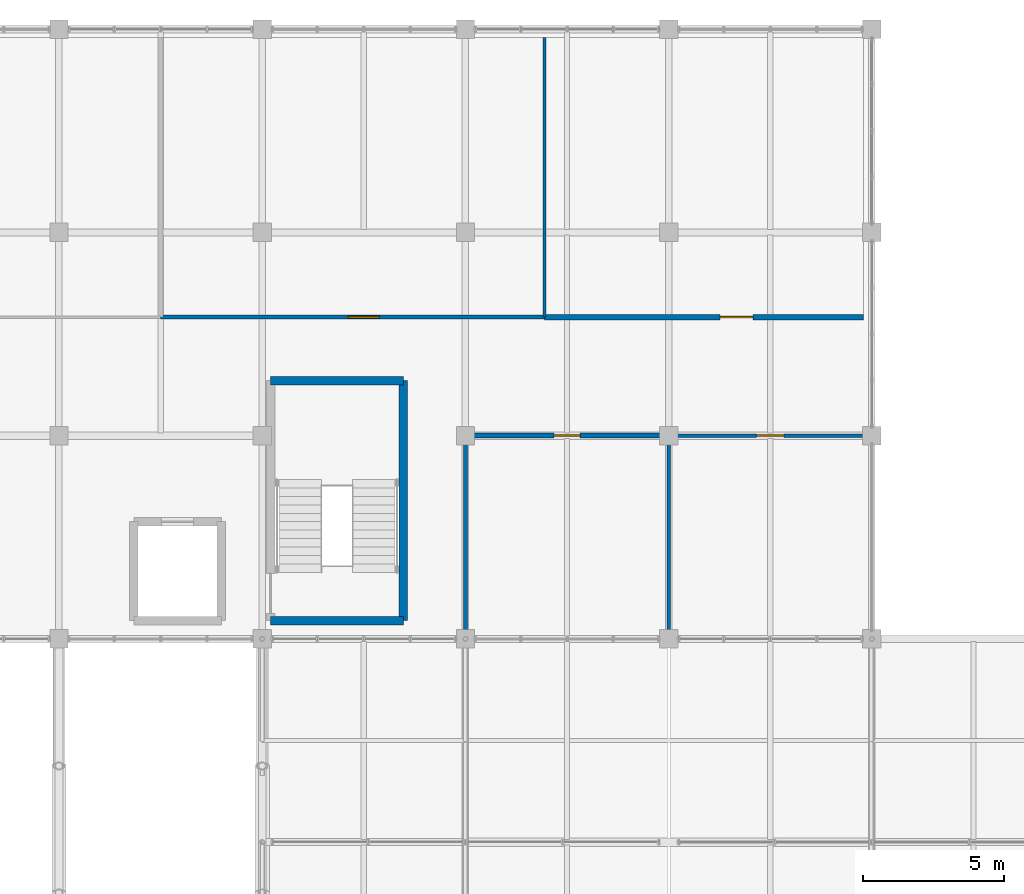
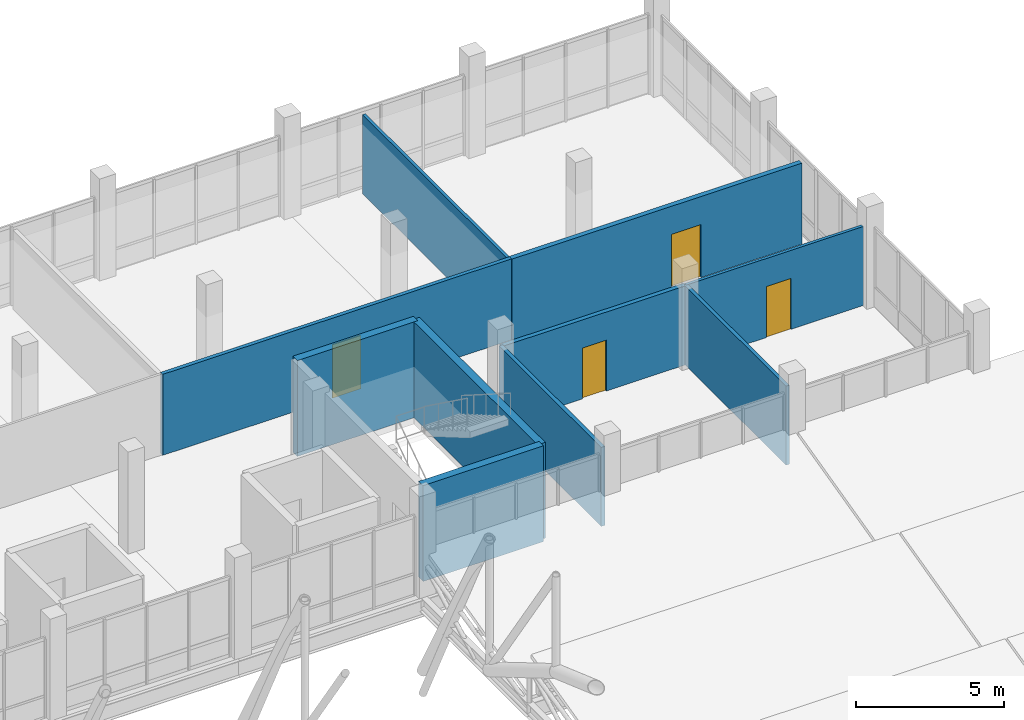
# One storey, part 105 of 144: 10 walls, 4 doors, 4 openings.
"""IFC4 building model written with IfcOpenShell, lengths in metres."""

from ifc_helpers import new_model, si_unit, direction, frame, frame_2d, origin, place, context, subcontext, project, spatial, rectangle, extrude, material, layer, layer_set, type_object, element, fill, save


model = new_model("IFC4")

# Units and contexts
model_context = context("Model", 3, precision=1e-05, world=origin(), true_north=direction((0.0, 1.0)))
body_context = subcontext(model_context, "Body", "Model", "MODEL_VIEW")
ifc_project = project(units=[si_unit("LENGTHUNIT", "METRE"), si_unit("AREAUNIT", "SQUARE_METRE"), si_unit("VOLUMEUNIT", "CUBIC_METRE"), si_unit("PLANEANGLEUNIT", "RADIAN"), si_unit("MASSUNIT", "GRAM", prefix="KILO")], contexts=[model_context])

# Site, building, storey
site_placement = place(None, origin())
site = spatial("IfcSite", under=ifc_project, at=site_placement, CompositionType="ELEMENT")
building_placement = place(site_placement, origin())
building = spatial("IfcBuilding", under=site, at=building_placement, Name="Yarey Park Central Fire Station", CompositionType="ELEMENT")
storey_placement = place(building_placement, frame((0.0, 0.0, 10.199951171875)))
storey = spatial("IfcBuildingStorey", under=building, at=storey_placement, Name="L03", CompositionType="ELEMENT", Elevation=10.199951171875)

# Walls
ifc_material_1 = material(Name="Concrete C40/50", Category="concrete")
ifc_layer_1 = layer(ifc_material_1, 0.300048828125)
ifc_layer_set_1 = layer_set([ifc_layer_1], Name="Concrete C40/50")
wall_type_1 = type_object("IfcWallType", Name="INT_CORE_RC300", PredefinedType="SHEAR", material=ifc_layer_set_1)
for number, where, z_axis, x_axis, name in (
    (1, (137.10009765625, 94.25, 0.0), (0.0, 0.0, 1.0), (1.0, 0.0, 0.0), "CWALL_C2_L03_S"),
    (2, (141.800048828125, 102.75, 0.0), (0.0, 0.0, 1.0), (-1.0, 0.0, 0.0), "CWALL_C2_L03_N"),
):
    element("IfcWall", number, at=place(storey_placement, frame(where, z_axis=z_axis, x_axis=x_axis)), inside=storey, type_object=wall_type_1, Name=name, PredefinedType="SHEAR", context=body_context, shape_type="SweptSolid", body=[
        extrude(rectangle(XDim=4.699951171875, YDim=0.300048828125, at=frame_2d((2.35009765625, 0.0))), origin(), (0.0, 0.0, 1.0), 3.949951171875),
    ])
wall_1_placement = place(storey_placement, frame((141.800048828125, 94.25, 0.0), z_axis=(0.0, 0.0, 1.0), x_axis=(0.0, 1.0, 0.0)))
element("IfcWall", 3, at=wall_1_placement, inside=storey, type_object=wall_type_1, Name="CWALL_C2_L03_E", PredefinedType="SHEAR", context=body_context, shape_type="SweptSolid", body=[
    extrude(rectangle(XDim=8.5, YDim=0.300048828125, at=frame_2d((4.25, 0.0))), origin(), (0.0, 0.0, 1.0), 3.949951171875),
])

# Wall, opening, door
ifc_material_2 = material(Name="Gypsum Shaftliner Assembly", Category="gypsum")
ifc_layer_2 = layer(ifc_material_2, 0.14990234375)
ifc_layer_set_2 = layer_set([ifc_layer_2], Name="Gypsum Shaftliner Assembly")
wall_type_2 = type_object("IfcWallType", Name="INT_WALL_AC150", PredefinedType="STANDARD", material=ifc_layer_set_2)
wall_2_placement = place(storey_placement, frame((133.199951171875, 105.0, 0.0), z_axis=(0.0, 0.0, 1.0), x_axis=(1.0, 0.0, 0.0)))
wall_2 = element("IfcWall", 4, at=wall_2_placement, inside=storey, type_object=wall_type_2, Name="PART_SPC_L03_PREV2_SOUTH", PredefinedType="STANDARD", context=body_context, shape_type="SweptSolid", body=[
    extrude(rectangle(XDim=13.60009765625, YDim=0.14990234375, at=frame_2d((6.800048828125, 0.0))), origin(), (0.0, 0.0, 1.0), 3.338134765625),
])
opening_1_placement = place(wall_2_placement, frame((6.64990234375, 0.0, 0.0)))
opening_1 = element("IfcOpeningElement", 5, at=opening_1_placement, cuts=wall_2, Name="Opening ID-110", PredefinedType="OPENING", context=body_context, shape_type="SweptSolid", body=[
    extrude(rectangle(XDim=1.10009765625, YDim=2.199951171875, at=frame_2d((0.550048828125, 1.10009765625))), frame((0.0, 0.0849609375, 0.0), z_axis=(0.0, -1.0, 0.0), x_axis=(1.0, 0.0, 0.0)), (0.0, 0.0, 1.0), 0.169921875),
])
ifc_material_3 = material(Name="Hardwood Acoustic Leaf", Category="wood")
door_type_1 = type_object("IfcDoorType", Name="DR_INT_1100", OperationType="NOTDEFINED", PredefinedType="DOOR", material=ifc_material_3)
door_1_placement = place(opening_1_placement, origin())
door_1 = element("IfcDoor", 6, at=door_1_placement, inside=storey, type_object=door_type_1, Name="DOOR_SPC_L03_PREV2", OperationType="SINGLE_SWING_RIGHT", OverallHeight=2.199951171875, OverallWidth=1.10009765625, PredefinedType="DOOR", context=body_context, shape_type="SweptSolid", body=[
    extrude(rectangle(XDim=1.10009765625, YDim=2.199951171875, at=frame_2d((0.550048828125, 1.10009765625))), frame((0.0, 0.02490234375, 0.0), z_axis=(0.0, -1.0, 0.0), x_axis=(1.0, 0.0, 0.0)), (0.0, 0.0, 1.0), 0.050048828125),
])
fill(opening_1, door_1)

# Wall
wall_3_placement = place(storey_placement, frame((144.0, 100.800048828125, 0.0), z_axis=(0.0, 0.0, 1.0), x_axis=(0.0, -1.0, 0.0)))
element("IfcWall", 7, at=wall_3_placement, inside=storey, type_object=wall_type_2, Name="PART_SPC_L03_V4_WCM_WEST", PredefinedType="STANDARD", context=body_context, shape_type="SweptSolid", body=[
    extrude(rectangle(XDim=6.900146484375, YDim=0.14990234375, at=frame_2d((3.4501953125, 0.0))), origin(), (0.0, 0.0, 1.0), 3.257080078125),
])

# Wall, opening, door
ifc_layer_3 = layer(ifc_material_2, 0.169921875)
ifc_layer_set_3 = layer_set([ifc_layer_3], Name="Gypsum Shaftliner Assembly")
wall_type_3 = type_object("IfcWallType", Name="INT_WALL_AC170", PredefinedType="STANDARD", material=ifc_layer_set_3)
wall_4_placement = place(storey_placement, frame((151.199951171875, 100.800048828125, 0.0), z_axis=(0.0, 0.0, 1.0), x_axis=(-1.0, 0.0, 0.0)))
wall_4 = element("IfcWall", 8, at=wall_4_placement, inside=storey, type_object=wall_type_3, Name="PART_SPC_L03_V4_WCM_NORTH", PredefinedType="STANDARD", context=body_context, shape_type="SweptSolid", body=[
    extrude(rectangle(XDim=7.199951171875, YDim=0.169921875, at=frame_2d((3.60009765625, 0.0))), origin(), (0.0, 0.0, 1.0), 3.257080078125),
])
opening_2_placement = place(wall_4_placement, frame((3.139892578125, 0.0, 0.0)))
opening_2 = element("IfcOpeningElement", 9, at=opening_2_placement, cuts=wall_4, Name="Opening WD-092", PredefinedType="OPENING", context=body_context, shape_type="SweptSolid", body=[
    extrude(rectangle(XDim=0.919921875, YDim=2.10009765625, at=frame_2d((0.4599609375, 1.050048828125))), frame((0.0, 0.094970703125, 0.0), z_axis=(0.0, -1.0, 0.0), x_axis=(1.0, 0.0, 0.0)), (0.0, 0.0, 1.0), 0.18994140625),
])
ifc_material_4 = material(Name="Phenolic Moisture-Resistant Leaf", Category="wood")
door_type_2 = type_object("IfcDoorType", Name="DR_WC_920", OperationType="NOTDEFINED", PredefinedType="DOOR", material=ifc_material_4)
door_2_placement = place(opening_2_placement, origin())
door_2 = element("IfcDoor", 10, at=door_2_placement, inside=storey, type_object=door_type_2, Name="DOOR_SPC_L03_V4_WCM", OperationType="SINGLE_SWING_RIGHT", OverallHeight=2.10009765625, OverallWidth=0.919921875, PredefinedType="DOOR", context=body_context, shape_type="SweptSolid", body=[
    extrude(rectangle(XDim=0.919921875, YDim=2.10009765625, at=frame_2d((0.4599609375, 1.050048828125))), frame((0.0, 0.02490234375, 0.0), z_axis=(0.0, -1.0, 0.0), x_axis=(1.0, 0.0, 0.0)), (0.0, 0.0, 1.0), 0.050048828125),
])
fill(opening_2, door_2)

ifc_material_5 = material(Name="Concrete C35/45", Category="concrete")
ifc_layer_4 = layer(ifc_material_5, 0.18994140625)
ifc_layer_set_4 = layer_set([ifc_layer_4], Name="Concrete C35/45")
wall_type_4 = type_object("IfcWallType", Name="INT_WALL_CMU190", PredefinedType="STANDARD", material=ifc_layer_set_4)
wall_5_placement = place(storey_placement, frame((146.800048828125, 105.0, 0.0), z_axis=(0.0, 0.0, 1.0), x_axis=(1.0, 0.0, 0.0)))
wall_5 = element("IfcWall", 11, at=wall_5_placement, inside=storey, type_object=wall_type_4, Name="PART_SPC_L03_PREV3_SOUTH", PredefinedType="STANDARD", context=body_context, shape_type="SweptSolid", body=[
    extrude(rectangle(XDim=11.300048828125, YDim=0.18994140625, at=frame_2d((5.64990234375, 0.0))), origin(), (0.0, 0.0, 1.0), 3.338134765625),
])
opening_3_placement = place(wall_5_placement, frame((6.219970703125, 0.0, 0.0)))
opening_3 = element("IfcOpeningElement", 12, at=opening_3_placement, cuts=wall_5, Name="Opening FD-116", PredefinedType="OPENING", context=body_context, shape_type="SweptSolid", body=[
    extrude(rectangle(XDim=1.159912109375, YDim=2.179931640625, at=frame_2d((0.580078125, 1.08984375))), frame((0.0, 0.10498046875, 0.0), z_axis=(0.0, -1.0, 0.0), x_axis=(1.0, 0.0, 0.0)), (0.0, 0.0, 1.0), 0.2099609375),
])
ifc_material_6 = material(Name="Galvanized Hollow Metal Door", Category="metal")
door_type_3 = type_object("IfcDoorType", Name="DR_FD_1160", OperationType="NOTDEFINED", PredefinedType="DOOR", material=ifc_material_6)
door_3_placement = place(opening_3_placement, origin())
door_3 = element("IfcDoor", 13, at=door_3_placement, inside=storey, type_object=door_type_3, Name="DOOR_SPC_L03_PREV3", OperationType="SINGLE_SWING_LEFT", OverallHeight=2.179931640625, OverallWidth=1.159912109375, PredefinedType="DOOR", context=body_context, shape_type="SweptSolid", body=[
    extrude(rectangle(XDim=1.159912109375, YDim=2.179931640625, at=frame_2d((0.580078125, 1.08984375))), frame((0.0, 0.02490234375, 0.0), z_axis=(0.0, -1.0, 0.0), x_axis=(1.0, 0.0, 0.0)), (0.0, 0.0, 1.0), 0.050048828125),
])
fill(opening_3, door_3)

# Wall
ifc_material_7 = material(Name="Gypsum Acoustic Partition", Category="gypsum")
ifc_layer_5 = layer(ifc_material_7, 0.117919921875)
ifc_layer_set_5 = layer_set([ifc_layer_5], Name="Gypsum Acoustic Partition")
wall_type_5 = type_object("IfcWallType", Name="INT_WALL_PT118", PredefinedType="STANDARD", material=ifc_layer_set_5)
wall_6_placement = place(storey_placement, frame((146.800048828125, 105.0, 0.0), z_axis=(0.0, 0.0, 1.0), x_axis=(0.0, 1.0, 0.0)))
element("IfcWall", 14, at=wall_6_placement, inside=storey, type_object=wall_type_5, Name="PART_SPC_L03_PREV2_EAST", PredefinedType="STANDARD", context=body_context, shape_type="SweptSolid", body=[
    extrude(rectangle(XDim=9.89990234375, YDim=0.117919921875, at=frame_2d((4.949951171875, 0.0))), origin(), (0.0, 0.0, 1.0), 3.257080078125),
])

# Wall, opening, door
wall_7_placement = place(storey_placement, frame((158.10009765625, 100.800048828125, 0.0), z_axis=(0.0, 0.0, 1.0), x_axis=(-1.0, 0.0, 0.0)))
wall_7 = element("IfcWall", 15, at=wall_7_placement, inside=storey, type_object=wall_type_5, Name="PART_SPC_L03_V4_WCA_NORTH", PredefinedType="STANDARD", context=body_context, shape_type="SweptSolid", body=[
    extrude(rectangle(XDim=6.900146484375, YDim=0.117919921875, at=frame_2d((3.4501953125, 0.0))), origin(), (0.0, 0.0, 1.0), 3.257080078125),
])
opening_4_placement = place(wall_7_placement, frame((2.820068359375, 0.0, 0.0)))
opening_4 = element("IfcOpeningElement", 16, at=opening_4_placement, cuts=wall_7, Name="Opening WD-096", PredefinedType="OPENING", context=body_context, shape_type="SweptSolid", body=[
    extrude(rectangle(XDim=0.9599609375, YDim=2.10009765625, at=frame_2d((0.47998046875, 1.050048828125))), frame((0.0, 0.06884765625, 0.0), z_axis=(0.0, -1.0, 0.0), x_axis=(1.0, 0.0, 0.0)), (0.0, 0.0, 1.0), 0.137939453125),
])
door_type_4 = type_object("IfcDoorType", Name="DR_WC_960", OperationType="NOTDEFINED", PredefinedType="DOOR", material=ifc_material_4)
door_4_placement = place(opening_4_placement, origin())
door_4 = element("IfcDoor", 17, at=door_4_placement, inside=storey, type_object=door_type_4, Name="DOOR_SPC_L03_V4_WCA", OperationType="SINGLE_SWING_LEFT", OverallHeight=2.10009765625, OverallWidth=0.9599609375, PredefinedType="DOOR", context=body_context, shape_type="SweptSolid", body=[
    extrude(rectangle(XDim=0.9599609375, YDim=2.10009765625, at=frame_2d((0.47998046875, 1.050048828125))), frame((0.0, 0.02490234375, 0.0), z_axis=(0.0, -1.0, 0.0), x_axis=(1.0, 0.0, 0.0)), (0.0, 0.0, 1.0), 0.050048828125),
])
fill(opening_4, door_4)

# Wall
ifc_layer_6 = layer(ifc_material_7, 0.134033203125)
ifc_layer_set_6 = layer_set([ifc_layer_6], Name="Gypsum Acoustic Partition")
wall_type_6 = type_object("IfcWallType", Name="INT_WALL_PT134", PredefinedType="STANDARD", material=ifc_layer_set_6)
wall_8_placement = place(storey_placement, frame((151.199951171875, 93.89990234375, 0.0), z_axis=(0.0, 0.0, 1.0), x_axis=(0.0, 1.0, 0.0)))
element("IfcWall", 18, at=wall_8_placement, inside=storey, type_object=wall_type_6, Name="PART_SPC_L03_V4_WCM_EAST", PredefinedType="STANDARD", context=body_context, shape_type="SweptSolid", body=[
    extrude(rectangle(XDim=6.900146484375, YDim=0.134033203125, at=frame_2d((3.4501953125, 0.0))), origin(), (0.0, 0.0, 1.0), 3.257080078125),
])

save(model, "model.ifc")
